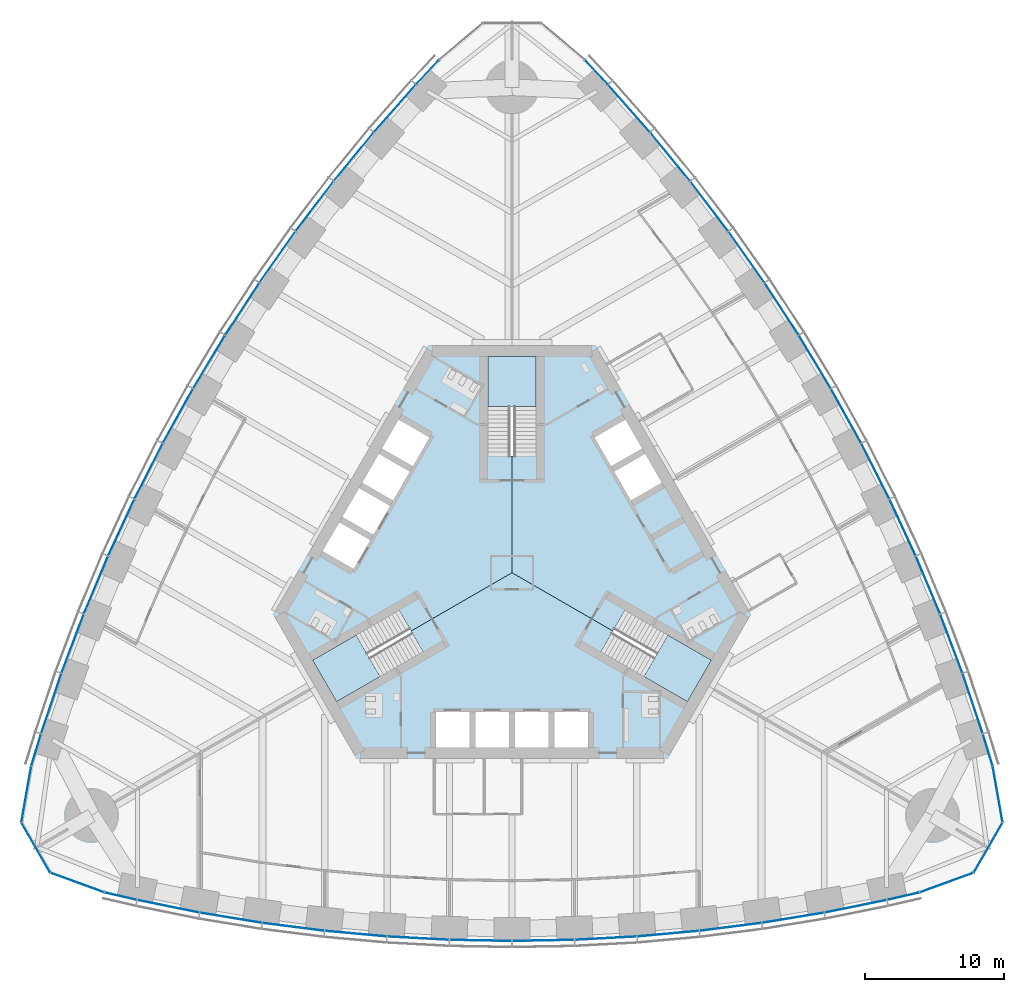
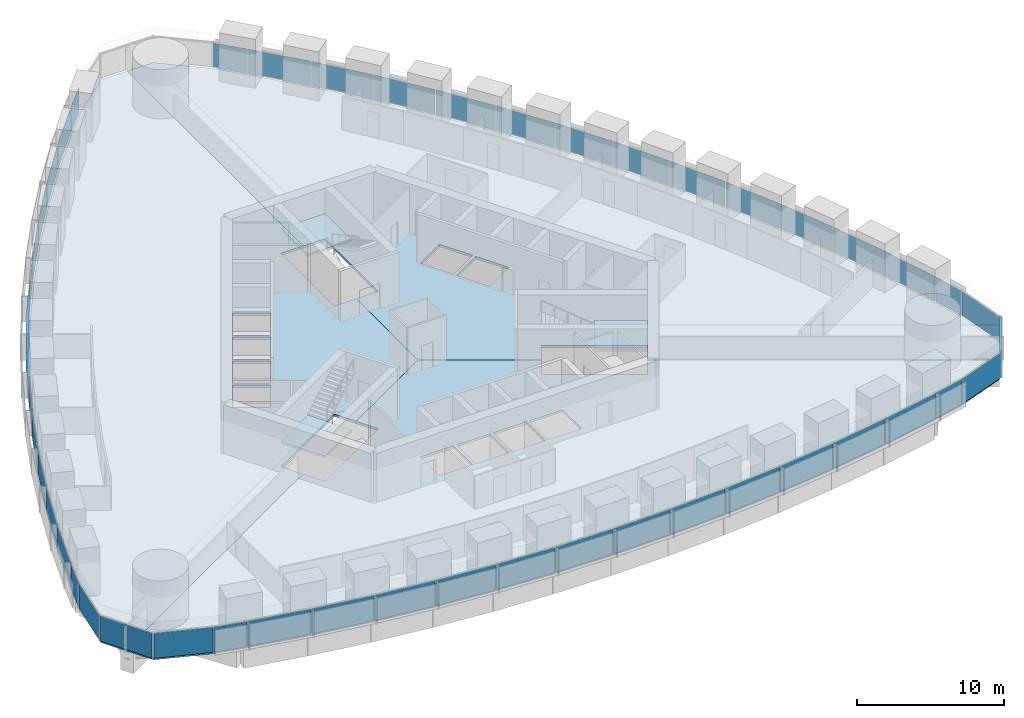
# One storey, part 9 of 18: 48 plates, 6 slabs, 8 elements without a shape of their own.
"""IFC4 building model written with IfcOpenShell, lengths in metres."""

from ifc_helpers import new_model, si_unit, direction, frame, origin, origin_2d, place, context, subcontext, project, spatial, polyline, rectangle, outline, extrude, material, layer, layer_set, type_object, element, aggregate, save


model = new_model("IFC4")

# Units and contexts
model_context = context("Model", 3, precision=1e-05, world=origin(), true_north=direction((0.0, 1.0)))
body_context = subcontext(model_context, "Body", "Model", "MODEL_VIEW")
ifc_project = project(units=[si_unit("LENGTHUNIT", "METRE"), si_unit("AREAUNIT", "SQUARE_METRE"), si_unit("VOLUMEUNIT", "CUBIC_METRE"), si_unit("PLANEANGLEUNIT", "RADIAN"), si_unit("MASSUNIT", "GRAM", prefix="KILO")], contexts=[model_context])

# Site, building, storey
site_placement = place(None, origin())
site = spatial("IfcSite", under=ifc_project, at=site_placement, CompositionType="ELEMENT")
building_placement = place(site_placement, origin())
building = spatial("IfcBuilding", under=site, at=building_placement, Name="Trefoil Bronze Tower", CompositionType="ELEMENT")
storey_placement = place(building_placement, frame((0.0, 0.0, 174.5)))
storey = spatial("IfcBuildingStorey", under=building, at=storey_placement, Name="L40", CompositionType="ELEMENT", Elevation=174.5)

# Curtain wall, plates
ifc_material_1 = material(Name="Tinted solar-control glass", Category="glass")
curtain_wall_type_1 = type_object("IfcCurtainWallType", Name="Bronze office curtain wall", PredefinedType="USERDEFINED", material=ifc_material_1)
curtain_wall_1_placement = place(storey_placement, origin())
curtain_wall_1 = element("IfcCurtainWall", 1, at=curtain_wall_1_placement, inside=storey, type_object=curtain_wall_type_1, Name="CW-A L40 F1", ObjectType="CURTAIN WALL", PredefinedType="USERDEFINED")
ifc_material_2 = material(Name="Tinted solar-control glass", Category="glass")
ifc_layer_1 = layer(ifc_material_2, 0.030029296875)
ifc_layer_set_1 = layer_set([ifc_layer_1], Name="Bronze office curtain wall glass panel")
plate_type_1 = type_object("IfcPlateType", Name="Bronze office curtain wall glass panel", PredefinedType="CURTAIN_PANEL", material=ifc_layer_set_1)
plate_1_placement = place(storey_placement, frame((-28.201416015625, -23.320068359375, 0.0), z_axis=(0.0, 0.0, 1.0), x_axis=(0.97420444715, -0.225667222151, 0.0)))
plate_1 = element("IfcPlate", 2, at=plate_1_placement, type_object=plate_type_1, Name="CW-A L40 F1 panel 1", PredefinedType="CURTAIN_PANEL", context=body_context, shape_type="SweptSolid", body=[
    extrude(rectangle(XDim=2.340087890625, YDim=0.030029296875, at=origin_2d()), origin(), (0.0, 0.0, 1.0), 2.050048828125),
])
plate_2_placement = place(storey_placement, frame((-24.769775390625, -24.048828125, 0.0), z_axis=(0.0, 0.0, 1.0), x_axis=(0.980155155547, -0.198231861853, 0.0)))
plate_2 = element("IfcPlate", 3, at=plate_2_placement, type_object=plate_type_1, Name="CW-A L40 F1 panel 2", PredefinedType="CURTAIN_PANEL", context=body_context, shape_type="SweptSolid", body=[
    extrude(rectangle(XDim=4.51123046875, YDim=0.030029296875, at=origin_2d()), origin(), (0.0, 0.0, 1.0), 2.050048828125),
])
plate_3_placement = place(storey_placement, frame((-20.26611328125, -24.87451171875, 0.0), z_axis=(0.0, 0.0, 1.0), x_axis=(0.986759655731, -0.162189339418, 0.0)))
plate_3 = element("IfcPlate", 4, at=plate_3_placement, type_object=plate_type_1, Name="CW-A L40 F1 panel 3", PredefinedType="CURTAIN_PANEL", context=body_context, shape_type="SweptSolid", body=[
    extrude(rectangle(XDim=4.48046875, YDim=0.030029296875, at=origin_2d()), origin(), (0.0, 0.0, 1.0), 2.050048828125),
])
plate_4_placement = place(storey_placement, frame((-15.7626953125, -25.53076171875, 0.0), z_axis=(0.0, 0.0, 1.0), x_axis=(0.992011554286, -0.126147041833, 0.0)))
plate_4 = element("IfcPlate", 5, at=plate_4_placement, type_object=plate_type_1, Name="CW-A L40 F1 panel 4", PredefinedType="CURTAIN_PANEL", context=body_context, shape_type="SweptSolid", body=[
    extrude(rectangle(XDim=4.456298828125, YDim=0.030029296875, at=origin_2d()), origin(), (0.0, 0.0, 1.0), 2.050048828125),
])
plate_5_placement = place(storey_placement, frame((-11.259033203125, -26.02099609375, 0.0), z_axis=(0.0, 0.0, 1.0), x_axis=(0.995932279146, -0.090104913044, 0.0)))
plate_5 = element("IfcPlate", 6, at=plate_5_placement, type_object=plate_type_1, Name="CW-A L40 F1 panel 5", PredefinedType="CURTAIN_PANEL", context=body_context, shape_type="SweptSolid", body=[
    extrude(rectangle(XDim=4.4384765625, YDim=0.030029296875, at=origin_2d()), origin(), (0.0, 0.0, 1.0), 2.050048828125),
])
plate_6_placement = place(storey_placement, frame((-6.75537109375, -26.3466796875, 0.0), z_axis=(0.0, 0.0, 1.0), x_axis=(0.998537531923, -0.054062901701, 0.0)))
plate_6 = element("IfcPlate", 7, at=plate_6_placement, type_object=plate_type_1, Name="CW-A L40 F1 panel 6", PredefinedType="CURTAIN_PANEL", context=body_context, shape_type="SweptSolid", body=[
    extrude(rectangle(XDim=4.426513671875, YDim=0.030029296875, at=origin_2d()), origin(), (0.0, 0.0, 1.0), 2.050048828125),
])
plate_7_placement = place(storey_placement, frame((-2.251708984375, -26.509033203125, 0.0), z_axis=(0.0, 0.0, 1.0), x_axis=(0.999837609322, -0.018020959612, 0.0)))
plate_7 = element("IfcPlate", 8, at=plate_7_placement, type_object=plate_type_1, Name="CW-A L40 F1 panel 7", PredefinedType="CURTAIN_PANEL", context=body_context, shape_type="SweptSolid", body=[
    extrude(rectangle(XDim=4.420654296875, YDim=0.030029296875, at=origin_2d()), origin(), (0.0, 0.0, 1.0), 2.050048828125),
])
plate_8_placement = place(storey_placement, frame((2.251708984375, -26.509033203125, 0.0), z_axis=(0.0, 0.0, 1.0), x_axis=(0.999837609322, 0.018020959612, 0.0)))
plate_8 = element("IfcPlate", 9, at=plate_8_placement, type_object=plate_type_1, Name="CW-A L40 F1 panel 8", PredefinedType="CURTAIN_PANEL", context=body_context, shape_type="SweptSolid", body=[
    extrude(rectangle(XDim=4.420654296875, YDim=0.030029296875, at=origin_2d()), origin(), (0.0, 0.0, 1.0), 2.050048828125),
])
plate_9_placement = place(storey_placement, frame((6.75537109375, -26.3466796875, 0.0), z_axis=(0.0, 0.0, 1.0), x_axis=(0.998537531923, 0.054062901701, 0.0)))
plate_9 = element("IfcPlate", 10, at=plate_9_placement, type_object=plate_type_1, Name="CW-A L40 F1 panel 9", PredefinedType="CURTAIN_PANEL", context=body_context, shape_type="SweptSolid", body=[
    extrude(rectangle(XDim=4.426513671875, YDim=0.030029296875, at=origin_2d()), origin(), (0.0, 0.0, 1.0), 2.050048828125),
])
plate_10_placement = place(storey_placement, frame((11.259033203125, -26.02099609375, 0.0), z_axis=(0.0, 0.0, 1.0), x_axis=(0.995932279146, 0.090104913044, 0.0)))
plate_10 = element("IfcPlate", 11, at=plate_10_placement, type_object=plate_type_1, Name="CW-A L40 F1 panel 10", PredefinedType="CURTAIN_PANEL", context=body_context, shape_type="SweptSolid", body=[
    extrude(rectangle(XDim=4.4384765625, YDim=0.030029296875, at=origin_2d()), origin(), (0.0, 0.0, 1.0), 2.050048828125),
])
plate_11_placement = place(storey_placement, frame((15.7626953125, -25.53076171875, 0.0), z_axis=(0.0, 0.0, 1.0), x_axis=(0.992011554286, 0.126147041833, 0.0)))
plate_11 = element("IfcPlate", 12, at=plate_11_placement, type_object=plate_type_1, Name="CW-A L40 F1 panel 11", PredefinedType="CURTAIN_PANEL", context=body_context, shape_type="SweptSolid", body=[
    extrude(rectangle(XDim=4.456298828125, YDim=0.030029296875, at=origin_2d()), origin(), (0.0, 0.0, 1.0), 2.050048828125),
])
plate_12_placement = place(storey_placement, frame((20.26611328125, -24.87451171875, 0.0), z_axis=(0.0, 0.0, 1.0), x_axis=(0.986759655731, 0.162189339418, 0.0)))
plate_12 = element("IfcPlate", 13, at=plate_12_placement, type_object=plate_type_1, Name="CW-A L40 F1 panel 12", PredefinedType="CURTAIN_PANEL", context=body_context, shape_type="SweptSolid", body=[
    extrude(rectangle(XDim=4.48046875, YDim=0.030029296875, at=origin_2d()), origin(), (0.0, 0.0, 1.0), 2.050048828125),
])
plate_13_placement = place(storey_placement, frame((24.769775390625, -24.048828125, 0.0), z_axis=(0.0, 0.0, 1.0), x_axis=(0.980155155547, 0.198231861853, 0.0)))
plate_13 = element("IfcPlate", 14, at=plate_13_placement, type_object=plate_type_1, Name="CW-A L40 F1 panel 13", PredefinedType="CURTAIN_PANEL", context=body_context, shape_type="SweptSolid", body=[
    extrude(rectangle(XDim=4.51123046875, YDim=0.030029296875, at=origin_2d()), origin(), (0.0, 0.0, 1.0), 2.050048828125),
])
plate_14_placement = place(storey_placement, frame((28.201416015625, -23.320068359375, 0.0), z_axis=(0.0, 0.0, 1.0), x_axis=(0.97420444715, 0.225667222151, 0.0)))
plate_14 = element("IfcPlate", 15, at=plate_14_placement, type_object=plate_type_1, Name="CW-A L40 F1 panel 14", PredefinedType="CURTAIN_PANEL", context=body_context, shape_type="SweptSolid", body=[
    extrude(rectangle(XDim=2.340087890625, YDim=0.030029296875, at=origin_2d()), origin(), (0.0, 0.0, 1.0), 2.050048828125),
])
aggregate(curtain_wall_1, [plate_1, plate_2, plate_3, plate_4, plate_5, plate_6, plate_7, plate_8, plate_9, plate_10, plate_11, plate_12, plate_13, plate_14])

curtain_wall_2_placement = place(storey_placement, origin())
curtain_wall_2 = element("IfcCurtainWall", 16, at=curtain_wall_2_placement, inside=storey, type_object=curtain_wall_type_1, Name="CW-A L40 F2", ObjectType="CURTAIN WALL", PredefinedType="USERDEFINED")
plate_15_placement = place(storey_placement, frame((34.296630859375, -12.762939453125, 0.0), z_axis=(0.0, 0.0, 1.0), x_axis=(-0.291668676391, 0.956519410787, 0.0)))
plate_15 = element("IfcPlate", 17, at=plate_15_placement, type_object=plate_type_1, Name="CW-A L40 F2 panel 1", PredefinedType="CURTAIN_PANEL", context=body_context, shape_type="SweptSolid", body=[
    extrude(rectangle(XDim=2.340087890625, YDim=0.030029296875, at=origin_2d()), origin(), (0.0, 0.0, 1.0), 2.050048828125),
])
plate_16_placement = place(storey_placement, frame((33.2119140625, -9.4267578125, 0.0), z_axis=(0.0, 0.0, 1.0), x_axis=(-0.318403749569, 0.947955195281, 0.0)))
plate_16 = element("IfcPlate", 18, at=plate_16_placement, type_object=plate_type_1, Name="CW-A L40 F2 panel 2", PredefinedType="CURTAIN_PANEL", context=body_context, shape_type="SweptSolid", body=[
    extrude(rectangle(XDim=4.51123046875, YDim=0.030029296875, at=origin_2d()), origin(), (0.0, 0.0, 1.0), 2.050048828125),
])
plate_17_placement = place(storey_placement, frame((31.675048828125, -5.11376953125, 0.0), z_axis=(0.0, 0.0, 1.0), x_axis=(-0.352919739707, 0.935653599002, 0.0)))
plate_17 = element("IfcPlate", 19, at=plate_17_placement, type_object=plate_type_1, Name="CW-A L40 F2 panel 3", PredefinedType="CURTAIN_PANEL", context=body_context, shape_type="SweptSolid", body=[
    extrude(rectangle(XDim=4.48046875, YDim=0.030029296875, at=origin_2d()), origin(), (0.0, 0.0, 1.0), 2.050048828125),
])
plate_18_placement = place(storey_placement, frame((29.99169921875, -0.885498046875, 0.0), z_axis=(0.0, 0.0, 1.0), x_axis=(-0.386759234303, 0.922180727776, 0.0)))
plate_18 = element("IfcPlate", 20, at=plate_18_placement, type_object=plate_type_1, Name="CW-A L40 F2 panel 4", PredefinedType="CURTAIN_PANEL", context=body_context, shape_type="SweptSolid", body=[
    extrude(rectangle(XDim=4.456298828125, YDim=0.030029296875, at=origin_2d()), origin(), (0.0, 0.0, 1.0), 2.050048828125),
])
plate_19_placement = place(storey_placement, frame((28.164306640625, 3.260009765625, 0.0), z_axis=(0.0, 0.0, 1.0), x_axis=(-0.419932995871, 0.907555110712, 0.0)))
plate_19 = element("IfcPlate", 21, at=plate_19_placement, type_object=plate_type_1, Name="CW-A L40 F2 panel 5", PredefinedType="CURTAIN_PANEL", context=body_context, shape_type="SweptSolid", body=[
    extrude(rectangle(XDim=4.4384765625, YDim=0.030029296875, at=origin_2d()), origin(), (0.0, 0.0, 1.0), 2.050048828125),
])
plate_20_placement = place(storey_placement, frame((26.194580078125, 7.322998046875, 0.0), z_axis=(0.0, 0.0, 1.0), x_axis=(-0.452448919686, 0.891790320128, 0.0)))
plate_20 = element("IfcPlate", 22, at=plate_20_placement, type_object=plate_type_1, Name="CW-A L40 F2 panel 6", PredefinedType="CURTAIN_PANEL", context=body_context, shape_type="SweptSolid", body=[
    extrude(rectangle(XDim=4.426513671875, YDim=0.030029296875, at=origin_2d()), origin(), (0.0, 0.0, 1.0), 2.050048828125),
])
plate_21_placement = place(storey_placement, frame((24.08349609375, 11.304443359375, 0.0), z_axis=(0.0, 0.0, 1.0), x_axis=(-0.484312195836, 0.874895249138, 0.0)))
plate_21 = element("IfcPlate", 23, at=plate_21_placement, type_object=plate_type_1, Name="CW-A L40 F2 panel 7", PredefinedType="CURTAIN_PANEL", context=body_context, shape_type="SweptSolid", body=[
    extrude(rectangle(XDim=4.420654296875, YDim=0.030029296875, at=origin_2d()), origin(), (0.0, 0.0, 1.0), 2.050048828125),
])
plate_22_placement = place(storey_placement, frame((21.83154296875, 15.20458984375, 0.0), z_axis=(0.0, 0.0, 1.0), x_axis=(-0.515525413486, 0.856874289526, 0.0)))
plate_22 = element("IfcPlate", 24, at=plate_22_placement, type_object=plate_type_1, Name="CW-A L40 F2 panel 8", PredefinedType="CURTAIN_PANEL", context=body_context, shape_type="SweptSolid", body=[
    extrude(rectangle(XDim=4.420654296875, YDim=0.030029296875, at=origin_2d()), origin(), (0.0, 0.0, 1.0), 2.050048828125),
])
plate_23_placement = place(storey_placement, frame((19.439208984375, 19.023681640625, 0.0), z_axis=(0.0, 0.0, 1.0), x_axis=(-0.546088612237, 0.837727418427, 0.0)))
plate_23 = element("IfcPlate", 25, at=plate_23_placement, type_object=plate_type_1, Name="CW-A L40 F2 panel 9", PredefinedType="CURTAIN_PANEL", context=body_context, shape_type="SweptSolid", body=[
    extrude(rectangle(XDim=4.426513671875, YDim=0.030029296875, at=origin_2d()), origin(), (0.0, 0.0, 1.0), 2.050048828125),
])
plate_24_placement = place(storey_placement, frame((16.9052734375, 22.760986328125, 0.0), z_axis=(0.0, 0.0, 1.0), x_axis=(-0.575999283275, 0.817450197667, 0.0)))
plate_24 = element("IfcPlate", 26, at=plate_24_placement, type_object=plate_type_1, Name="CW-A L40 F2 panel 10", PredefinedType="CURTAIN_PANEL", context=body_context, shape_type="SweptSolid", body=[
    extrude(rectangle(XDim=4.4384765625, YDim=0.030029296875, at=origin_2d()), origin(), (0.0, 0.0, 1.0), 2.050048828125),
])
plate_25_placement = place(storey_placement, frame((14.22900390625, 26.416259765625, 0.0), z_axis=(0.0, 0.0, 1.0), x_axis=(-0.605252319983, 0.796033685943, 0.0)))
plate_25 = element("IfcPlate", 27, at=plate_25_placement, type_object=plate_type_1, Name="CW-A L40 F2 panel 11", PredefinedType="CURTAIN_PANEL", context=body_context, shape_type="SweptSolid", body=[
    extrude(rectangle(XDim=4.456298828125, YDim=0.030029296875, at=origin_2d()), origin(), (0.0, 0.0, 1.0), 2.050048828125),
])
plate_26_placement = place(storey_placement, frame((11.40869140625, 29.98828125, 0.0), z_axis=(0.0, 0.0, 1.0), x_axis=(-0.633839916024, 0.773464259584, 0.0)))
plate_26 = element("IfcPlate", 28, at=plate_26_placement, type_object=plate_type_1, Name="CW-A L40 F2 panel 12", PredefinedType="CURTAIN_PANEL", context=body_context, shape_type="SweptSolid", body=[
    extrude(rectangle(XDim=4.48046875, YDim=0.030029296875, at=origin_2d()), origin(), (0.0, 0.0, 1.0), 2.050048828125),
])
plate_27_placement = place(storey_placement, frame((8.442138671875, 33.475830078125, 0.0), z_axis=(0.0, 0.0, 1.0), x_axis=(-0.661751405978, 0.749723333428, 0.0)))
plate_27 = element("IfcPlate", 29, at=plate_27_placement, type_object=plate_type_1, Name="CW-A L40 F2 panel 13", PredefinedType="CURTAIN_PANEL", context=body_context, shape_type="SweptSolid", body=[
    extrude(rectangle(XDim=4.51123046875, YDim=0.030029296875, at=origin_2d()), origin(), (0.0, 0.0, 1.0), 2.050048828125),
])
plate_28_placement = place(storey_placement, frame((6.09521484375, 36.083251953125, 0.0), z_axis=(0.0, 0.0, 1.0), x_axis=(-0.682535770759, 0.730852188636, 0.0)))
plate_28 = element("IfcPlate", 30, at=plate_28_placement, type_object=plate_type_1, Name="CW-A L40 F2 panel 14", PredefinedType="CURTAIN_PANEL", context=body_context, shape_type="SweptSolid", body=[
    extrude(rectangle(XDim=2.340087890625, YDim=0.030029296875, at=origin_2d()), origin(), (0.0, 0.0, 1.0), 2.050048828125),
])
aggregate(curtain_wall_2, [plate_15, plate_16, plate_17, plate_18, plate_19, plate_20, plate_21, plate_22, plate_23, plate_24, plate_25, plate_26, plate_27, plate_28])

curtain_wall_3_placement = place(storey_placement, origin())
curtain_wall_3 = element("IfcCurtainWall", 31, at=curtain_wall_3_placement, inside=storey, type_object=curtain_wall_type_1, Name="CW-A L40 F3", ObjectType="CURTAIN WALL", PredefinedType="USERDEFINED")
plate_29_placement = place(storey_placement, frame((-6.09521484375, 36.083251953125, 0.0), z_axis=(0.0, 0.0, 1.0), x_axis=(-0.682535770759, -0.730852188636, 0.0)))
plate_29 = element("IfcPlate", 32, at=plate_29_placement, type_object=plate_type_1, Name="CW-A L40 F3 panel 1", PredefinedType="CURTAIN_PANEL", context=body_context, shape_type="SweptSolid", body=[
    extrude(rectangle(XDim=2.340087890625, YDim=0.030029296875, at=origin_2d()), origin(), (0.0, 0.0, 1.0), 2.050048828125),
])
plate_30_placement = place(storey_placement, frame((-8.442138671875, 33.475830078125, 0.0), z_axis=(0.0, 0.0, 1.0), x_axis=(-0.661751405978, -0.749723333428, 0.0)))
plate_30 = element("IfcPlate", 33, at=plate_30_placement, type_object=plate_type_1, Name="CW-A L40 F3 panel 2", PredefinedType="CURTAIN_PANEL", context=body_context, shape_type="SweptSolid", body=[
    extrude(rectangle(XDim=4.51123046875, YDim=0.030029296875, at=origin_2d()), origin(), (0.0, 0.0, 1.0), 2.050048828125),
])
plate_31_placement = place(storey_placement, frame((-11.40869140625, 29.98828125, 0.0), z_axis=(0.0, 0.0, 1.0), x_axis=(-0.633839916024, -0.773464259584, 0.0)))
plate_31 = element("IfcPlate", 34, at=plate_31_placement, type_object=plate_type_1, Name="CW-A L40 F3 panel 3", PredefinedType="CURTAIN_PANEL", context=body_context, shape_type="SweptSolid", body=[
    extrude(rectangle(XDim=4.48046875, YDim=0.030029296875, at=origin_2d()), origin(), (0.0, 0.0, 1.0), 2.050048828125),
])
plate_32_placement = place(storey_placement, frame((-14.22900390625, 26.416259765625, 0.0), z_axis=(0.0, 0.0, 1.0), x_axis=(-0.605252319983, -0.796033685943, 0.0)))
plate_32 = element("IfcPlate", 35, at=plate_32_placement, type_object=plate_type_1, Name="CW-A L40 F3 panel 4", PredefinedType="CURTAIN_PANEL", context=body_context, shape_type="SweptSolid", body=[
    extrude(rectangle(XDim=4.456298828125, YDim=0.030029296875, at=origin_2d()), origin(), (0.0, 0.0, 1.0), 2.050048828125),
])
plate_33_placement = place(storey_placement, frame((-16.9052734375, 22.760986328125, 0.0), z_axis=(0.0, 0.0, 1.0), x_axis=(-0.575999283275, -0.817450197667, 0.0)))
plate_33 = element("IfcPlate", 36, at=plate_33_placement, type_object=plate_type_1, Name="CW-A L40 F3 panel 5", PredefinedType="CURTAIN_PANEL", context=body_context, shape_type="SweptSolid", body=[
    extrude(rectangle(XDim=4.4384765625, YDim=0.030029296875, at=origin_2d()), origin(), (0.0, 0.0, 1.0), 2.050048828125),
])
plate_34_placement = place(storey_placement, frame((-19.439208984375, 19.023681640625, 0.0), z_axis=(0.0, 0.0, 1.0), x_axis=(-0.546088612237, -0.837727418427, 0.0)))
plate_34 = element("IfcPlate", 37, at=plate_34_placement, type_object=plate_type_1, Name="CW-A L40 F3 panel 6", PredefinedType="CURTAIN_PANEL", context=body_context, shape_type="SweptSolid", body=[
    extrude(rectangle(XDim=4.426513671875, YDim=0.030029296875, at=origin_2d()), origin(), (0.0, 0.0, 1.0), 2.050048828125),
])
plate_35_placement = place(storey_placement, frame((-21.83154296875, 15.20458984375, 0.0), z_axis=(0.0, 0.0, 1.0), x_axis=(-0.515525413486, -0.856874289526, 0.0)))
plate_35 = element("IfcPlate", 38, at=plate_35_placement, type_object=plate_type_1, Name="CW-A L40 F3 panel 7", PredefinedType="CURTAIN_PANEL", context=body_context, shape_type="SweptSolid", body=[
    extrude(rectangle(XDim=4.420654296875, YDim=0.030029296875, at=origin_2d()), origin(), (0.0, 0.0, 1.0), 2.050048828125),
])
plate_36_placement = place(storey_placement, frame((-24.08349609375, 11.304443359375, 0.0), z_axis=(0.0, 0.0, 1.0), x_axis=(-0.484312195836, -0.874895249138, 0.0)))
plate_36 = element("IfcPlate", 39, at=plate_36_placement, type_object=plate_type_1, Name="CW-A L40 F3 panel 8", PredefinedType="CURTAIN_PANEL", context=body_context, shape_type="SweptSolid", body=[
    extrude(rectangle(XDim=4.420654296875, YDim=0.030029296875, at=origin_2d()), origin(), (0.0, 0.0, 1.0), 2.050048828125),
])
plate_37_placement = place(storey_placement, frame((-26.194580078125, 7.322998046875, 0.0), z_axis=(0.0, 0.0, 1.0), x_axis=(-0.452448919686, -0.891790320128, 0.0)))
plate_37 = element("IfcPlate", 40, at=plate_37_placement, type_object=plate_type_1, Name="CW-A L40 F3 panel 9", PredefinedType="CURTAIN_PANEL", context=body_context, shape_type="SweptSolid", body=[
    extrude(rectangle(XDim=4.426513671875, YDim=0.030029296875, at=origin_2d()), origin(), (0.0, 0.0, 1.0), 2.050048828125),
])
plate_38_placement = place(storey_placement, frame((-28.164306640625, 3.260009765625, 0.0), z_axis=(0.0, 0.0, 1.0), x_axis=(-0.419932995871, -0.907555110712, 0.0)))
plate_38 = element("IfcPlate", 41, at=plate_38_placement, type_object=plate_type_1, Name="CW-A L40 F3 panel 10", PredefinedType="CURTAIN_PANEL", context=body_context, shape_type="SweptSolid", body=[
    extrude(rectangle(XDim=4.4384765625, YDim=0.030029296875, at=origin_2d()), origin(), (0.0, 0.0, 1.0), 2.050048828125),
])
plate_39_placement = place(storey_placement, frame((-29.99169921875, -0.885498046875, 0.0), z_axis=(0.0, 0.0, 1.0), x_axis=(-0.386759234303, -0.922180727776, 0.0)))
plate_39 = element("IfcPlate", 42, at=plate_39_placement, type_object=plate_type_1, Name="CW-A L40 F3 panel 11", PredefinedType="CURTAIN_PANEL", context=body_context, shape_type="SweptSolid", body=[
    extrude(rectangle(XDim=4.456298828125, YDim=0.030029296875, at=origin_2d()), origin(), (0.0, 0.0, 1.0), 2.050048828125),
])
plate_40_placement = place(storey_placement, frame((-31.675048828125, -5.11376953125, 0.0), z_axis=(0.0, 0.0, 1.0), x_axis=(-0.352919739707, -0.935653599002, 0.0)))
plate_40 = element("IfcPlate", 43, at=plate_40_placement, type_object=plate_type_1, Name="CW-A L40 F3 panel 12", PredefinedType="CURTAIN_PANEL", context=body_context, shape_type="SweptSolid", body=[
    extrude(rectangle(XDim=4.48046875, YDim=0.030029296875, at=origin_2d()), origin(), (0.0, 0.0, 1.0), 2.050048828125),
])
plate_41_placement = place(storey_placement, frame((-33.2119140625, -9.4267578125, 0.0), z_axis=(0.0, 0.0, 1.0), x_axis=(-0.318403749569, -0.947955195281, 0.0)))
plate_41 = element("IfcPlate", 44, at=plate_41_placement, type_object=plate_type_1, Name="CW-A L40 F3 panel 13", PredefinedType="CURTAIN_PANEL", context=body_context, shape_type="SweptSolid", body=[
    extrude(rectangle(XDim=4.51123046875, YDim=0.030029296875, at=origin_2d()), origin(), (0.0, 0.0, 1.0), 2.050048828125),
])
plate_42_placement = place(storey_placement, frame((-34.296630859375, -12.762939453125, 0.0), z_axis=(0.0, 0.0, 1.0), x_axis=(-0.291668676391, -0.956519410787, 0.0)))
plate_42 = element("IfcPlate", 45, at=plate_42_placement, type_object=plate_type_1, Name="CW-A L40 F3 panel 14", PredefinedType="CURTAIN_PANEL", context=body_context, shape_type="SweptSolid", body=[
    extrude(rectangle(XDim=2.340087890625, YDim=0.030029296875, at=origin_2d()), origin(), (0.0, 0.0, 1.0), 2.050048828125),
])
aggregate(curtain_wall_3, [plate_29, plate_30, plate_31, plate_32, plate_33, plate_34, plate_35, plate_36, plate_37, plate_38, plate_39, plate_40, plate_41, plate_42])

ifc_material_3 = material(Name="Tinted solar-control glass", Category="glass")
curtain_wall_type_2 = type_object("IfcCurtainWallType", Name="Bronze rounded corner curtain wall", PredefinedType="USERDEFINED", material=ifc_material_3)
curtain_wall_4_placement = place(storey_placement, origin())
curtain_wall_4 = element("IfcCurtainWall", 46, at=curtain_wall_4_placement, inside=storey, type_object=curtain_wall_type_2, Name="CW-B L40 K1", ObjectType="CURTAIN WALL", PredefinedType="USERDEFINED")
ifc_material_4 = material(Name="Tinted solar-control glass", Category="glass")
ifc_layer_2 = layer(ifc_material_4, 0.030029296875)
ifc_layer_set_2 = layer_set([ifc_layer_2], Name="Bronze rounded corner curtain wall glass panel")
plate_type_2 = type_object("IfcPlateType", Name="Bronze rounded corner curtain wall glass panel", PredefinedType="CURTAIN_PANEL", material=ifc_layer_set_2)
plate_43_placement = place(storey_placement, frame((31.3203125, -22.341796875, 0.0), z_axis=(0.0, 0.0, 1.0), x_axis=(0.939692620786, 0.342020143326, 0.0)))
plate_43 = element("IfcPlate", 47, at=plate_43_placement, type_object=plate_type_2, Name="CW-B L40 K1 panel 1", PredefinedType="CURTAIN_PANEL", context=body_context, shape_type="SweptSolid", body=[
    extrude(rectangle(XDim=4.044189453125, YDim=0.030029296875, at=origin_2d()), origin(), (0.0, 0.0, 1.0), 2.050048828125),
])
plate_44_placement = place(storey_placement, frame((34.3271484375, -19.81884765625, 0.0), z_axis=(0.0, 0.0, 1.0), x_axis=(0.5, 0.866025403784, 0.0)))
plate_44 = element("IfcPlate", 48, at=plate_44_placement, type_object=plate_type_2, Name="CW-B L40 K1 panel 2", PredefinedType="CURTAIN_PANEL", context=body_context, shape_type="SweptSolid", body=[
    extrude(rectangle(XDim=4.044189453125, YDim=0.030029296875, at=origin_2d()), origin(), (0.0, 0.0, 1.0), 2.050048828125),
])
plate_45_placement = place(storey_placement, frame((35.0087890625, -15.953369140625, 0.0), z_axis=(0.0, 0.0, 1.0), x_axis=(-0.173648177667, 0.984807753012, 0.0)))
plate_45 = element("IfcPlate", 49, at=plate_45_placement, type_object=plate_type_2, Name="CW-B L40 K1 panel 3", PredefinedType="CURTAIN_PANEL", context=body_context, shape_type="SweptSolid", body=[
    extrude(rectangle(XDim=4.044189453125, YDim=0.030029296875, at=origin_2d()), origin(), (0.0, 0.0, 1.0), 2.050048828125),
])
aggregate(curtain_wall_4, [plate_43, plate_44, plate_45])

curtain_wall_5_placement = place(storey_placement, origin())
curtain_wall_5 = element("IfcCurtainWall", 50, at=curtain_wall_5_placement, inside=storey, type_object=curtain_wall_type_2, Name="CW-B L40 K3", ObjectType="CURTAIN WALL", PredefinedType="USERDEFINED")
plate_46_placement = place(storey_placement, frame((-35.0087890625, -15.953369140625, 0.0), z_axis=(0.0, 0.0, 1.0), x_axis=(-0.173648177667, -0.984807753012, 0.0)))
plate_46 = element("IfcPlate", 51, at=plate_46_placement, type_object=plate_type_2, Name="CW-B L40 K3 panel 1", PredefinedType="CURTAIN_PANEL", context=body_context, shape_type="SweptSolid", body=[
    extrude(rectangle(XDim=4.044189453125, YDim=0.030029296875, at=origin_2d()), origin(), (0.0, 0.0, 1.0), 2.050048828125),
])
plate_47_placement = place(storey_placement, frame((-34.3271484375, -19.81884765625, 0.0), z_axis=(0.0, 0.0, 1.0), x_axis=(0.5, -0.866025403784, 0.0)))
plate_47 = element("IfcPlate", 52, at=plate_47_placement, type_object=plate_type_2, Name="CW-B L40 K3 panel 2", PredefinedType="CURTAIN_PANEL", context=body_context, shape_type="SweptSolid", body=[
    extrude(rectangle(XDim=4.044189453125, YDim=0.030029296875, at=origin_2d()), origin(), (0.0, 0.0, 1.0), 2.050048828125),
])
plate_48_placement = place(storey_placement, frame((-31.3203125, -22.341796875, 0.0), z_axis=(0.0, 0.0, 1.0), x_axis=(0.939692620786, -0.342020143326, 0.0)))
plate_48 = element("IfcPlate", 53, at=plate_48_placement, type_object=plate_type_2, Name="CW-B L40 K3 panel 3", PredefinedType="CURTAIN_PANEL", context=body_context, shape_type="SweptSolid", body=[
    extrude(rectangle(XDim=4.044189453125, YDim=0.030029296875, at=origin_2d()), origin(), (0.0, 0.0, 1.0), 2.050048828125),
])
aggregate(curtain_wall_5, [plate_46, plate_47, plate_48])

# Slabs
ifc_material_5 = material(Name="Concrete B30", Category="concrete")
ifc_layer_3 = layer(ifc_material_5, 0.199951171875)
ifc_layer_set_3 = layer_set([ifc_layer_3], Name="Floor slab 200")
slab_type_1 = type_object("IfcSlabType", Name="Floor slab 200", PredefinedType="FLOOR", material=ifc_layer_set_3)
slab_1_placement = place(storey_placement, frame((0.0, 0.0, -0.199951171875)))
element("IfcSlab", 54, at=slab_1_placement, inside=storey, type_object=slab_type_1, Name="Floor slab L40 face 1", PredefinedType="FLOOR", context=body_context, shape_type="SweptSolid", body=[
    extrude(outline(polyline([(22.5, -24.406005859375), (18.0, -25.1455078125), (13.5, -25.7177734375), (9.0, -26.125), (4.5, -26.36865234375), (0.0, -26.44970703125), (-4.5, -26.36865234375), (-9.0, -26.125), (-13.5, -25.7177734375), (-18.0, -25.1455078125), (-22.5, -24.406005859375), (-27.0, -23.495849609375), (-29.357666015625, -22.94970703125), (-33.21435546875, -21.5458984375), (-34.240478515625, -19.768798828125), (-13.510009765625, -7.800048828125), (-12.6474609375, -9.2939453125), (-6.412109375, -5.69384765625), (-7.274658203125, -4.199951171875), (0.0, 0.0), (7.274658203125, -4.199951171875), (6.412109375, -5.69384765625), (12.6474609375, -9.2939453125), (13.510009765625, -7.800048828125), (34.240478515625, -19.768798828125), (33.21435546875, -21.5458984375), (29.357666015625, -22.94970703125), (27.0, -23.495849609375), (22.5, -24.406005859375)]), holes=[polyline([(-5.574951171875, -10.02490234375), (-2.97509765625, -10.02490234375), (-2.97509765625, -12.60009765625), (-5.574951171875, -12.60009765625), (-5.574951171875, -10.02490234375)]), polyline([(-2.72509765625, -10.02490234375), (-0.125, -10.02490234375), (-0.125, -12.60009765625), (-2.72509765625, -12.60009765625), (-2.72509765625, -10.02490234375)]), polyline([(0.125, -10.02490234375), (2.72509765625, -10.02490234375), (2.72509765625, -12.60009765625), (0.125, -12.60009765625), (0.125, -10.02490234375)]), polyline([(2.97509765625, -10.02490234375), (5.574951171875, -10.02490234375), (5.574951171875, -12.60009765625), (2.97509765625, -12.60009765625), (2.97509765625, -10.02490234375)])]), origin(), (0.0, 0.0, 1.0), 0.199951171875),
])
slab_2_placement = place(storey_placement, frame((0.0, 0.0, -0.199951171875)))
element("IfcSlab", 55, at=slab_2_placement, inside=storey, type_object=slab_type_1, Name="Floor slab L40 face 2", PredefinedType="FLOOR", context=body_context, shape_type="SweptSolid", body=[
    extrude(outline(polyline([(9.88623046875, 31.6884765625), (12.776611328125, 28.1611328125), (15.522216796875, 24.55029296875), (18.124755859375, 20.856689453125), (20.5859375, 17.081298828125), (22.906005859375, 13.224853515625), (25.0859375, 9.287109375), (27.124755859375, 5.268310546875), (29.022216796875, 1.16748046875), (30.776611328125, -3.015625), (32.38623046875, -7.28271484375), (33.847900390625, -11.634765625), (34.553955078125, -13.94970703125), (35.2666015625, -17.991455078125), (34.240478515625, -19.768798828125), (13.510009765625, -7.800048828125), (14.37255859375, -6.30615234375), (8.13720703125, -2.7060546875), (7.274658203125, -4.199951171875), (0.0, 0.0), (0.0, 8.39990234375), (1.72509765625, 8.39990234375), (1.72509765625, 15.60009765625), (0.0, 15.60009765625), (0.0, 39.53759765625), (2.052001953125, 39.53759765625), (5.196044921875, 36.8994140625), (6.847900390625, 35.130615234375), (9.88623046875, 31.6884765625)]), holes=[polyline([(8.619384765625, 5.120849609375), (7.3193359375, 7.372314453125), (9.54931640625, 8.659912109375), (10.849365234375, 6.408203125), (8.619384765625, 5.120849609375)]), polyline([(7.1943359375, 7.5888671875), (5.894287109375, 9.840576171875), (8.12451171875, 11.128173828125), (9.42431640625, 8.87646484375), (7.1943359375, 7.5888671875)])]), origin(), (0.0, 0.0, 1.0), 0.199951171875),
])
slab_3_placement = place(storey_placement, frame((0.0, 0.0, -0.199951171875)))
element("IfcSlab", 56, at=slab_3_placement, inside=storey, type_object=slab_type_1, Name="Floor slab L40 face 3", PredefinedType="FLOOR", context=body_context, shape_type="SweptSolid", body=[
    extrude(outline(polyline([(-32.38623046875, -7.28271484375), (-30.776611328125, -3.015625), (-29.022216796875, 1.16748046875), (-27.124755859375, 5.268310546875), (-25.0859375, 9.287109375), (-22.906005859375, 13.224853515625), (-20.5859375, 17.081298828125), (-18.124755859375, 20.856689453125), (-15.522216796875, 24.55029296875), (-12.776611328125, 28.1611328125), (-9.88623046875, 31.6884765625), (-6.847900390625, 35.130615234375), (-5.196044921875, 36.8994140625), (-2.052001953125, 39.53759765625), (0.0, 39.53759765625), (0.0, 15.60009765625), (-1.72509765625, 15.60009765625), (-1.72509765625, 8.39990234375), (0.0, 8.39990234375), (0.0, 0.0), (-7.274658203125, -4.199951171875), (-8.13720703125, -2.7060546875), (-14.37255859375, -6.30615234375), (-13.510009765625, -7.800048828125), (-34.240478515625, -19.768798828125), (-35.2666015625, -17.991455078125), (-34.553955078125, -13.94970703125), (-33.847900390625, -11.634765625), (-32.38623046875, -7.28271484375)]), holes=[polyline([(-5.894287109375, 9.840576171875), (-7.1943359375, 7.5888671875), (-9.42431640625, 8.87646484375), (-8.12451171875, 11.128173828125), (-5.894287109375, 9.840576171875)]), polyline([(-7.3193359375, 7.372314453125), (-8.619384765625, 5.120849609375), (-10.849365234375, 6.408203125), (-9.54931640625, 8.659912109375), (-7.3193359375, 7.372314453125)]), polyline([(-8.744384765625, 4.904296875), (-10.04443359375, 2.652587890625), (-12.2744140625, 3.940185546875), (-10.974365234375, 6.191650390625), (-8.744384765625, 4.904296875)]), polyline([(-10.16943359375, 2.43603515625), (-11.469482421875, 0.184326171875), (-13.699462890625, 1.471923828125), (-12.3994140625, 3.7236328125), (-10.16943359375, 2.43603515625)])]), origin(), (0.0, 0.0, 1.0), 0.199951171875),
])

# Stair, slab
ifc_material_6 = material(Name="Precast concrete B80", Category="concrete")
stair_type = type_object("IfcStairType", Name="Exit stair 26 risers", PredefinedType="HALF_TURN_STAIR", material=ifc_material_6)
stair_1_placement = place(storey_placement, origin())
stair_1 = element("IfcStair", 57, at=stair_1_placement, inside=storey, type_object=stair_type, Name="Stair ST1 L40", PredefinedType="HALF_TURN_STAIR")
ifc_material_7 = material(Name="Concrete B30", Category="concrete")
ifc_layer_4 = layer(ifc_material_7, 0.199951171875)
ifc_layer_set_4 = layer_set([ifc_layer_4], Name="Stair landing 200")
slab_type_2 = type_object("IfcSlabType", Name="Stair landing 200", PredefinedType="LANDING", material=ifc_layer_set_4)
slab_4_placement = place(storey_placement, frame((0.0, 0.0, 1.89990234375)))
slab_4 = element("IfcSlab", 58, at=slab_4_placement, type_object=slab_type_2, Name="ST1 landing 1", PredefinedType="LANDING", context=body_context, shape_type="SweptSolid", body=[
    extrude(outline(polyline([(9.512451171875, -7.48388671875), (12.6474609375, -9.2939453125), (14.37255859375, -6.30615234375), (11.237548828125, -4.49609375), (9.512451171875, -7.48388671875)])), origin(), (0.0, 0.0, 1.0), 0.2001953125),
])
aggregate(stair_1, [slab_4])

stair_2_placement = place(storey_placement, origin())
stair_2 = element("IfcStair", 59, at=stair_2_placement, inside=storey, type_object=stair_type, Name="Stair ST2 L40", PredefinedType="HALF_TURN_STAIR")
slab_5_placement = place(storey_placement, frame((0.0, 0.0, 1.89990234375)))
slab_5 = element("IfcSlab", 60, at=slab_5_placement, type_object=slab_type_2, Name="ST2 landing 1", PredefinedType="LANDING", context=body_context, shape_type="SweptSolid", body=[
    extrude(outline(polyline([(1.72509765625, 11.97998046875), (1.72509765625, 15.60009765625), (-1.72509765625, 15.60009765625), (-1.72509765625, 11.97998046875), (1.72509765625, 11.97998046875)])), origin(), (0.0, 0.0, 1.0), 0.2001953125),
])
aggregate(stair_2, [slab_5])

stair_3_placement = place(storey_placement, origin())
stair_3 = element("IfcStair", 61, at=stair_3_placement, inside=storey, type_object=stair_type, Name="Stair ST3 L40", PredefinedType="HALF_TURN_STAIR")
slab_6_placement = place(storey_placement, frame((0.0, 0.0, 1.89990234375)))
slab_6 = element("IfcSlab", 62, at=slab_6_placement, type_object=slab_type_2, Name="ST3 landing 1", PredefinedType="LANDING", context=body_context, shape_type="SweptSolid", body=[
    extrude(outline(polyline([(-11.237548828125, -4.49609375), (-14.37255859375, -6.30615234375), (-12.6474609375, -9.2939453125), (-9.512451171875, -7.48388671875), (-11.237548828125, -4.49609375)])), origin(), (0.0, 0.0, 1.0), 0.2001953125),
])
aggregate(stair_3, [slab_6])

save(model, "model.ifc")
